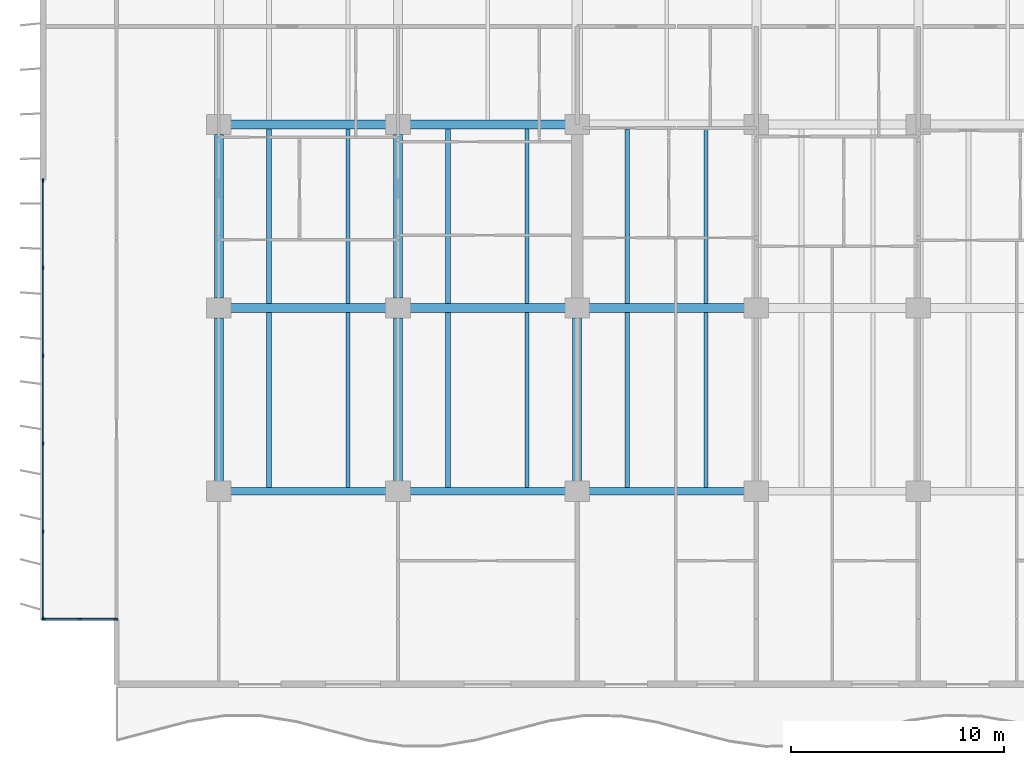
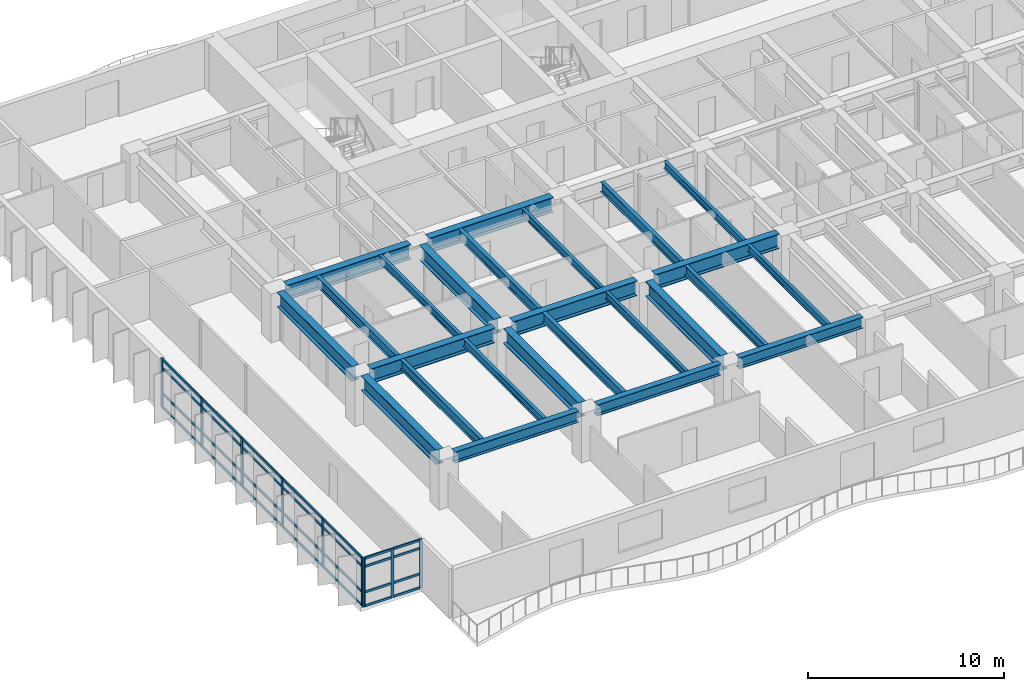
# One storey, part 2 of 18: 37 members, 25 beams, 2 elements without a shape of their own.
"""IFC4 building model written with IfcOpenShell, lengths in metres."""

from ifc_helpers import new_model, si_unit, direction, frame, origin, origin_2d, place, context, subcontext, project, spatial, rectangle, i_section, extrude, material, layer, layer_set, material_profile, profile_set, type_object, element, aggregate, save


model = new_model("IFC4")

# Units and contexts
model_context = context("Model", 3, precision=1e-05, world=origin(), true_north=direction((0.0, 1.0)))
body_context = subcontext(model_context, "Body", "Model", "MODEL_VIEW")
ifc_project = project(units=[si_unit("LENGTHUNIT", "METRE"), si_unit("AREAUNIT", "SQUARE_METRE"), si_unit("VOLUMEUNIT", "CUBIC_METRE"), si_unit("PLANEANGLEUNIT", "RADIAN"), si_unit("MASSUNIT", "GRAM", prefix="KILO")], contexts=[model_context])

# Site, building, storey
site_placement = place(None, origin())
site = spatial("IfcSite", under=ifc_project, at=site_placement, CompositionType="ELEMENT")
building_placement = place(site_placement, origin())
building = spatial("IfcBuilding", under=site, at=building_placement, Name="Caelmar Bay Residences", CompositionType="ELEMENT")
storey_placement = place(building_placement, frame((0.0, 0.0, 43.199951171875)))
storey = spatial("IfcBuildingStorey", under=building, at=storey_placement, Name="L10", CompositionType="ELEMENT", Elevation=43.199951171875)

# Beams
ifc_material_1 = material(Name="Steel ASTM A992 Grade 50", Category="steel")
ifc_material_profile_1 = material_profile(ifc_material_1, i_section(OverallWidth=0.422119140625, OverallDepth=0.925048828125, WebThickness=0.021240234375, FlangeThickness=0.03662109375, FilletRadius=0.020263671875, at=origin_2d()), Name="W36X262")
ifc_profile_set_1 = profile_set([ifc_material_profile_1], Name="Steel ASTM A992 Grade 50")
beam_type_1 = type_object("IfcBeamType", Name="BM-GRD-W36X262", PredefinedType="BEAM", material=ifc_profile_set_1)
beam_1_placement = place(storey_placement, frame((10.43994140625, 20.800048828125, 2.587646484375), z_axis=(1.0, 0.0, 0.0), x_axis=(0.0, 1.0, 0.0)))
element("IfcBeam", 1, at=beam_1_placement, inside=storey, type_object=beam_type_1, Name="L10 East-West Girder Y=20.80 (9.9-18.3)", PredefinedType="BEAM", context=body_context, shape_type="SweptSolid", body=[
    extrude(i_section(OverallWidth=0.422119140625, OverallDepth=0.925048828125, WebThickness=0.021240234375, FlangeThickness=0.03662109375, FilletRadius=0.020263671875, at=origin_2d()), origin(), (0.0, 0.0, 1.0), 7.320068359375),
])
beam_2_placement = place(storey_placement, frame((18.840087890625, 20.800048828125, 2.587646484375), z_axis=(1.0, 0.0, 0.0), x_axis=(0.0, 1.0, 0.0)))
element("IfcBeam", 2, at=beam_2_placement, inside=storey, type_object=beam_type_1, Name="L10 East-West Girder Y=20.80 (18.3-26.7)", PredefinedType="BEAM", context=body_context, shape_type="SweptSolid", body=[
    extrude(i_section(OverallWidth=0.422119140625, OverallDepth=0.925048828125, WebThickness=0.021240234375, FlangeThickness=0.03662109375, FilletRadius=0.020263671875, at=origin_2d()), origin(), (0.0, 0.0, 1.0), 7.31982421875),
])
for number, where, z_axis, x_axis, name in (
    (3, (27.239990234375, 20.800048828125, 2.587646484375), (1.0, 0.0, 0.0), (0.0, 1.0, 0.0), "L10 East-West Girder Y=20.80 (26.7-35.1)"),
    (4, (10.43994140625, 29.39990234375, 2.587646484375), (1.0, 0.0, 0.0), (0.0, 1.0, 0.0), "L10 East-West Girder Y=29.40 (9.9-18.3)"),
):
    element("IfcBeam", number, at=place(storey_placement, frame(where, z_axis=z_axis, x_axis=x_axis)), inside=storey, type_object=beam_type_1, Name=name, PredefinedType="BEAM", context=body_context, shape_type="SweptSolid", body=[
        extrude(i_section(OverallWidth=0.422119140625, OverallDepth=0.925048828125, WebThickness=0.021240234375, FlangeThickness=0.03662109375, FilletRadius=0.020263671875, at=origin_2d()), origin(), (0.0, 0.0, 1.0), 7.320068359375),
    ])
beam_3_placement = place(storey_placement, frame((18.840087890625, 29.39990234375, 2.587646484375), z_axis=(1.0, 0.0, 0.0), x_axis=(0.0, 1.0, 0.0)))
element("IfcBeam", 5, at=beam_3_placement, inside=storey, type_object=beam_type_1, Name="L10 East-West Girder Y=29.40 (18.3-26.7)", PredefinedType="BEAM", context=body_context, shape_type="SweptSolid", body=[
    extrude(i_section(OverallWidth=0.422119140625, OverallDepth=0.925048828125, WebThickness=0.021240234375, FlangeThickness=0.03662109375, FilletRadius=0.020263671875, at=origin_2d()), origin(), (0.0, 0.0, 1.0), 7.31982421875),
])
beam_4_placement = place(storey_placement, frame((9.89990234375, 12.6650390625, 2.587646484375), z_axis=(0.0, 1.0, 0.0), x_axis=(-1.0, 0.0, 0.0)))
element("IfcBeam", 6, at=beam_4_placement, inside=storey, type_object=beam_type_1, Name="L10 North-South Girder X=9.90 (12.2-20.8)", PredefinedType="BEAM", context=body_context, shape_type="SweptSolid", body=[
    extrude(i_section(OverallWidth=0.422119140625, OverallDepth=0.925048828125, WebThickness=0.021240234375, FlangeThickness=0.03662109375, FilletRadius=0.020263671875, at=origin_2d()), origin(), (0.0, 0.0, 1.0), 7.669921875),
])
beam_5_placement = place(storey_placement, frame((9.89990234375, 21.264892578125, 2.587646484375), z_axis=(0.0, 1.0, 0.0), x_axis=(-1.0, 0.0, 0.0)))
element("IfcBeam", 7, at=beam_5_placement, inside=storey, type_object=beam_type_1, Name="L10 North-South Girder X=9.90 (20.8-29.4)", PredefinedType="BEAM", context=body_context, shape_type="SweptSolid", body=[
    extrude(i_section(OverallWidth=0.422119140625, OverallDepth=0.925048828125, WebThickness=0.021240234375, FlangeThickness=0.03662109375, FilletRadius=0.020263671875, at=origin_2d()), origin(), (0.0, 0.0, 1.0), 7.670166015625),
])
beam_6_placement = place(storey_placement, frame((18.300048828125, 12.6650390625, 2.587646484375), z_axis=(0.0, 1.0, 0.0), x_axis=(-1.0, 0.0, 0.0)))
element("IfcBeam", 8, at=beam_6_placement, inside=storey, type_object=beam_type_1, Name="L10 North-South Girder X=18.30 (12.2-20.8)", PredefinedType="BEAM", context=body_context, shape_type="SweptSolid", body=[
    extrude(i_section(OverallWidth=0.422119140625, OverallDepth=0.925048828125, WebThickness=0.021240234375, FlangeThickness=0.03662109375, FilletRadius=0.020263671875, at=origin_2d()), origin(), (0.0, 0.0, 1.0), 7.669921875),
])
beam_7_placement = place(storey_placement, frame((18.300048828125, 21.264892578125, 2.587646484375), z_axis=(0.0, 1.0, 0.0), x_axis=(-1.0, 0.0, 0.0)))
element("IfcBeam", 9, at=beam_7_placement, inside=storey, type_object=beam_type_1, Name="L10 North-South Girder X=18.30 (20.8-29.4)", PredefinedType="BEAM", context=body_context, shape_type="SweptSolid", body=[
    extrude(i_section(OverallWidth=0.422119140625, OverallDepth=0.925048828125, WebThickness=0.021240234375, FlangeThickness=0.03662109375, FilletRadius=0.020263671875, at=origin_2d()), origin(), (0.0, 0.0, 1.0), 7.670166015625),
])
beam_8_placement = place(storey_placement, frame((26.699951171875, 12.6650390625, 2.587646484375), z_axis=(0.0, 1.0, 0.0), x_axis=(-1.0, 0.0, 0.0)))
element("IfcBeam", 10, at=beam_8_placement, inside=storey, type_object=beam_type_1, Name="L10 North-South Girder X=26.70 (12.2-20.8)", PredefinedType="BEAM", context=body_context, shape_type="SweptSolid", body=[
    extrude(i_section(OverallWidth=0.422119140625, OverallDepth=0.925048828125, WebThickness=0.021240234375, FlangeThickness=0.03662109375, FilletRadius=0.020263671875, at=origin_2d()), origin(), (0.0, 0.0, 1.0), 7.669921875),
])
ifc_material_profile_2 = material_profile(ifc_material_1, i_section(OverallWidth=0.19091796875, OverallDepth=0.45703125, WebThickness=0.009033203125, FlangeThickness=0.014404296875, FilletRadius=0.01025390625, at=origin_2d()), Name="W18X50")
ifc_profile_set_2 = profile_set([ifc_material_profile_2], Name="Steel ASTM A992 Grade 50")
beam_type_2 = type_object("IfcBeamType", Name="BM-JST-W18X50", PredefinedType="JOIST", material=ifc_profile_set_2)
for number, where, z_axis, x_axis, name in (
    (11, (15.947998046875, 12.3779296875, 2.821533203125), (0.0, 1.0, 0.0), (-1.0, 0.0, 0.0), "L10 Composite Floor Joist 2"),
    (12, (24.347900390625, 12.3779296875, 2.821533203125), (0.0, 1.0, 0.0), (-1.0, 0.0, 0.0), "L10 Composite Floor Joist 4"),
    (13, (32.748046875, 12.3779296875, 2.821533203125), (0.0, 1.0, 0.0), (-1.0, 0.0, 0.0), "L10 Composite Floor Joist 6"),
):
    element("IfcBeam", number, at=place(storey_placement, frame(where, z_axis=z_axis, x_axis=x_axis)), inside=storey, type_object=beam_type_2, Name=name, PredefinedType="JOIST", context=body_context, shape_type="SweptSolid", body=[
        extrude(i_section(OverallWidth=0.19091796875, OverallDepth=0.45703125, WebThickness=0.009033203125, FlangeThickness=0.014404296875, FilletRadius=0.01025390625, at=origin_2d()), origin(), (0.0, 0.0, 1.0), 8.211181640625),
    ])
for number, where, z_axis, x_axis, name in (
    (14, (15.947998046875, 21.010986328125, 2.821533203125), (0.0, 1.0, 0.0), (-1.0, 0.0, 0.0), "L10 Composite Floor Joist 16"),
    (15, (24.347900390625, 21.010986328125, 2.821533203125), (0.0, 1.0, 0.0), (-1.0, 0.0, 0.0), "L10 Composite Floor Joist 18"),
    (16, (32.748046875, 21.010986328125, 2.821533203125), (0.0, 1.0, 0.0), (-1.0, 0.0, 0.0), "L10 Composite Floor Joist 20"),
):
    element("IfcBeam", number, at=place(storey_placement, frame(where, z_axis=z_axis, x_axis=x_axis)), inside=storey, type_object=beam_type_2, Name=name, PredefinedType="JOIST", context=body_context, shape_type="SweptSolid", body=[
        extrude(i_section(OverallWidth=0.19091796875, OverallDepth=0.45703125, WebThickness=0.009033203125, FlangeThickness=0.014404296875, FilletRadius=0.01025390625, at=origin_2d()), origin(), (0.0, 0.0, 1.0), 8.177978515625),
    ])
ifc_material_profile_3 = material_profile(ifc_material_1, i_section(OverallWidth=0.22900390625, OverallDepth=0.612060546875, WebThickness=0.011962890625, FlangeThickness=0.01953125, FilletRadius=0.0126953125, at=origin_2d()), Name="W24X84")
ifc_profile_set_3 = profile_set([ifc_material_profile_3], Name="Steel ASTM A992 Grade 50")
beam_type_3 = type_object("IfcBeamType", Name="BM-JST-W24X84", PredefinedType="JOIST", material=ifc_profile_set_3)
for number, where, z_axis, x_axis, name in (
    (17, (12.251953125, 12.3779296875, 2.744140625), (0.0, 1.0, 0.0), (-1.0, 0.0, 0.0), "L10 Composite Floor Joist 1"),
    (18, (20.652099609375, 12.3779296875, 2.744140625), (0.0, 1.0, 0.0), (-1.0, 0.0, 0.0), "L10 Composite Floor Joist 3"),
    (19, (29.052001953125, 12.3779296875, 2.744140625), (0.0, 1.0, 0.0), (-1.0, 0.0, 0.0), "L10 Composite Floor Joist 5"),
):
    element("IfcBeam", number, at=place(storey_placement, frame(where, z_axis=z_axis, x_axis=x_axis)), inside=storey, type_object=beam_type_3, Name=name, PredefinedType="JOIST", context=body_context, shape_type="SweptSolid", body=[
        extrude(i_section(OverallWidth=0.22900390625, OverallDepth=0.612060546875, WebThickness=0.011962890625, FlangeThickness=0.01953125, FilletRadius=0.0126953125, at=origin_2d()), origin(), (0.0, 0.0, 1.0), 8.211181640625),
    ])
for number, where, z_axis, x_axis, name in (
    (20, (12.251953125, 21.010986328125, 2.744140625), (0.0, 1.0, 0.0), (-1.0, 0.0, 0.0), "L10 Composite Floor Joist 15"),
    (21, (20.652099609375, 21.010986328125, 2.744140625), (0.0, 1.0, 0.0), (-1.0, 0.0, 0.0), "L10 Composite Floor Joist 17"),
    (22, (29.052001953125, 21.010986328125, 2.744140625), (0.0, 1.0, 0.0), (-1.0, 0.0, 0.0), "L10 Composite Floor Joist 19"),
):
    element("IfcBeam", number, at=place(storey_placement, frame(where, z_axis=z_axis, x_axis=x_axis)), inside=storey, type_object=beam_type_3, Name=name, PredefinedType="JOIST", context=body_context, shape_type="SweptSolid", body=[
        extrude(i_section(OverallWidth=0.22900390625, OverallDepth=0.612060546875, WebThickness=0.011962890625, FlangeThickness=0.01953125, FilletRadius=0.0126953125, at=origin_2d()), origin(), (0.0, 0.0, 1.0), 8.177978515625),
    ])
ifc_material_profile_4 = material_profile(ifc_material_1, i_section(OverallWidth=0.35595703125, OverallDepth=0.696044921875, WebThickness=0.015380859375, FlangeThickness=0.02490234375, FilletRadius=0.01513671875, at=origin_2d()), Name="W27X146")
ifc_profile_set_4 = profile_set([ifc_material_profile_4], Name="Steel ASTM A992 Grade 50")
beam_type_4 = type_object("IfcBeamType", Name="BM-SPN-W27X146", PredefinedType="SPANDREL", material=ifc_profile_set_4)
beam_9_placement = place(storey_placement, frame((10.43994140625, 12.199951171875, 2.7021484375), z_axis=(1.0, 0.0, 0.0), x_axis=(0.0, 1.0, 0.0)))
element("IfcBeam", 23, at=beam_9_placement, inside=storey, type_object=beam_type_4, Name="L10 East-West Girder Y=12.20 (9.9-18.3)", PredefinedType="SPANDREL", context=body_context, shape_type="SweptSolid", body=[
    extrude(i_section(OverallWidth=0.35595703125, OverallDepth=0.696044921875, WebThickness=0.015380859375, FlangeThickness=0.02490234375, FilletRadius=0.01513671875, at=origin_2d()), origin(), (0.0, 0.0, 1.0), 7.320068359375),
])
beam_10_placement = place(storey_placement, frame((18.840087890625, 12.199951171875, 2.7021484375), z_axis=(1.0, 0.0, 0.0), x_axis=(0.0, 1.0, 0.0)))
element("IfcBeam", 24, at=beam_10_placement, inside=storey, type_object=beam_type_4, Name="L10 East-West Girder Y=12.20 (18.3-26.7)", PredefinedType="SPANDREL", context=body_context, shape_type="SweptSolid", body=[
    extrude(i_section(OverallWidth=0.35595703125, OverallDepth=0.696044921875, WebThickness=0.015380859375, FlangeThickness=0.02490234375, FilletRadius=0.01513671875, at=origin_2d()), origin(), (0.0, 0.0, 1.0), 7.31982421875),
])
beam_11_placement = place(storey_placement, frame((27.239990234375, 12.199951171875, 2.7021484375), z_axis=(1.0, 0.0, 0.0), x_axis=(0.0, 1.0, 0.0)))
element("IfcBeam", 25, at=beam_11_placement, inside=storey, type_object=beam_type_4, Name="L10 East-West Girder Y=12.20 (26.7-35.1)", PredefinedType="SPANDREL", context=body_context, shape_type="SweptSolid", body=[
    extrude(i_section(OverallWidth=0.35595703125, OverallDepth=0.696044921875, WebThickness=0.015380859375, FlangeThickness=0.02490234375, FilletRadius=0.01513671875, at=origin_2d()), origin(), (0.0, 0.0, 1.0), 7.320068359375),
])

# Curtain wall, members
ifc_material_2 = material(Name="Anodised bronze aluminium 6063-T6 and laminated glass", Category="aluminium")
ifc_layer_1 = layer(ifc_material_2, 0.179931640625)
ifc_layer_set_1 = layer_set([ifc_layer_1], Name="Anodised bronze aluminium 6063-T6 and laminated glass")
curtain_wall_type_1 = type_object("IfcCurtainWallType", Name="CW6-NTC", PredefinedType="NOTDEFINED", material=ifc_layer_set_1)
curtain_wall_1_placement = place(storey_placement, origin())
curtain_wall_1 = element("IfcCurtainWall", 26, at=curtain_wall_1_placement, inside=storey, type_object=curtain_wall_type_1, Name="CW6 curtain wall L10", PredefinedType="NOTDEFINED")
ifc_material_3 = material(Name="Anodised bronze aluminium 6063-T6", Category="aluminium")
ifc_material_profile_5 = material_profile(ifc_material_3, rectangle(XDim=0.080078125, YDim=0.179931640625, at=origin_2d()), Name="CWM-80X180")
ifc_profile_set_5 = profile_set([ifc_material_profile_5], Name="Anodised bronze aluminium 6063-T6")
member_type_1 = type_object("IfcMemberType", Name="CWM-180", PredefinedType="MULLION", material=ifc_profile_set_5)
member_1_placement = place(storey_placement, frame((1.68994140625, 6.199951171875, 0.0), z_axis=(0.0, 0.0, 1.0), x_axis=(0.0, 1.0, 0.0)))
member_1 = element("IfcMember", 27, at=member_1_placement, type_object=member_type_1, Name="CW6 mullion 1", PredefinedType="MULLION", context=body_context, shape_type="SweptSolid", body=[
    extrude(rectangle(XDim=0.080078125, YDim=0.179931640625, at=origin_2d()), origin(), (0.0, 0.0, 1.0), 3.050048828125),
])
member_2_placement = place(storey_placement, frame((3.375, 6.199951171875, 0.0), z_axis=(0.0, 0.0, 1.0), x_axis=(0.0, 1.0, 0.0)))
member_2 = element("IfcMember", 28, at=member_2_placement, type_object=member_type_1, Name="CW6 mullion 2", PredefinedType="MULLION", context=body_context, shape_type="SweptSolid", body=[
    extrude(rectangle(XDim=0.080078125, YDim=0.179931640625, at=origin_2d()), origin(), (0.0, 0.0, 1.0), 3.050048828125),
])
member_3_placement = place(storey_placement, frame((5.06005859375, 6.199951171875, 0.0), z_axis=(0.0, 0.0, 1.0), x_axis=(0.0, 1.0, 0.0)))
member_3 = element("IfcMember", 29, at=member_3_placement, type_object=member_type_1, Name="CW6 mullion 3", PredefinedType="MULLION", context=body_context, shape_type="SweptSolid", body=[
    extrude(rectangle(XDim=0.080078125, YDim=0.179931640625, at=origin_2d()), origin(), (0.0, 0.0, 1.0), 3.050048828125),
])

ifc_layer_2 = layer(ifc_material_2, 0.179931640625)
ifc_layer_set_2 = layer_set([ifc_layer_2], Name="Anodised bronze aluminium 6063-T6 and laminated glass")
curtain_wall_type_2 = type_object("IfcCurtainWallType", Name="CW2-Z1", PredefinedType="NOTDEFINED", material=ifc_layer_set_2)
curtain_wall_2_placement = place(storey_placement, origin())
curtain_wall_2 = element("IfcCurtainWall", 30, at=curtain_wall_2_placement, inside=storey, type_object=curtain_wall_type_2, Name="CW2 curtain wall L10", PredefinedType="NOTDEFINED")
member_4_placement = place(storey_placement, frame((1.64990234375, 6.239990234375, 0.0), z_axis=(0.0, 0.0, 1.0), x_axis=(-1.0, 0.0, 0.0)))
member_4 = element("IfcMember", 31, at=member_4_placement, type_object=member_type_1, Name="CW2 mullion 1", PredefinedType="MULLION", context=body_context, shape_type="SweptSolid", body=[
    extrude(rectangle(XDim=0.080078125, YDim=0.179931640625, at=origin_2d()), origin(), (0.0, 0.0, 1.0), 3.050048828125),
])
member_5_placement = place(storey_placement, frame((1.64990234375, 10.320068359375, 0.0), z_axis=(0.0, 0.0, 1.0), x_axis=(-1.0, 0.0, 0.0)))
member_5 = element("IfcMember", 32, at=member_5_placement, type_object=member_type_1, Name="CW2 mullion 2", PredefinedType="MULLION", context=body_context, shape_type="SweptSolid", body=[
    extrude(rectangle(XDim=0.080078125, YDim=0.179931640625, at=origin_2d()), origin(), (0.0, 0.0, 1.0), 3.050048828125),
])
member_6_placement = place(storey_placement, frame((1.64990234375, 14.43994140625, 0.0), z_axis=(0.0, 0.0, 1.0), x_axis=(-1.0, 0.0, 0.0)))
member_6 = element("IfcMember", 33, at=member_6_placement, type_object=member_type_1, Name="CW2 mullion 3", PredefinedType="MULLION", context=body_context, shape_type="SweptSolid", body=[
    extrude(rectangle(XDim=0.080078125, YDim=0.179931640625, at=origin_2d()), origin(), (0.0, 0.0, 1.0), 3.050048828125),
])
member_7_placement = place(storey_placement, frame((1.64990234375, 18.56005859375, 0.0), z_axis=(0.0, 0.0, 1.0), x_axis=(-1.0, 0.0, 0.0)))
member_7 = element("IfcMember", 34, at=member_7_placement, type_object=member_type_1, Name="CW2 mullion 4", PredefinedType="MULLION", context=body_context, shape_type="SweptSolid", body=[
    extrude(rectangle(XDim=0.080078125, YDim=0.179931640625, at=origin_2d()), origin(), (0.0, 0.0, 1.0), 3.050048828125),
])
member_8_placement = place(storey_placement, frame((1.64990234375, 22.679931640625, 0.0), z_axis=(0.0, 0.0, 1.0), x_axis=(-1.0, 0.0, 0.0)))
member_8 = element("IfcMember", 35, at=member_8_placement, type_object=member_type_1, Name="CW2 mullion 5", PredefinedType="MULLION", context=body_context, shape_type="SweptSolid", body=[
    extrude(rectangle(XDim=0.080078125, YDim=0.179931640625, at=origin_2d()), origin(), (0.0, 0.0, 1.0), 3.050048828125),
])
member_9_placement = place(storey_placement, frame((1.64990234375, 26.760009765625, 0.0), z_axis=(0.0, 0.0, 1.0), x_axis=(-1.0, 0.0, 0.0)))
member_9 = element("IfcMember", 36, at=member_9_placement, type_object=member_type_1, Name="CW2 mullion 6", PredefinedType="MULLION", context=body_context, shape_type="SweptSolid", body=[
    extrude(rectangle(XDim=0.080078125, YDim=0.179931640625, at=origin_2d()), origin(), (0.0, 0.0, 1.0), 3.050048828125),
])

# Member
ifc_material_profile_6 = material_profile(ifc_material_3, rectangle(XDim=0.080078125, YDim=0.139892578125, at=origin_2d()), Name="CWT-80X140")
ifc_profile_set_6 = profile_set([ifc_material_profile_6], Name="Anodised bronze aluminium 6063-T6")
member_type_2 = type_object("IfcMemberType", Name="CWT-140", PredefinedType="NOTDEFINED", material=ifc_profile_set_6)
member_10_placement = place(storey_placement, frame((1.72998046875, 6.199951171875, 0.0400390625), z_axis=(1.0, 0.0, 0.0), x_axis=(0.0, 1.0, 0.0)))
member_10 = element("IfcMember", 37, at=member_10_placement, type_object=member_type_2, Name="CW6 transom 1.1", ObjectType="TRANSOM", PredefinedType="USERDEFINED", context=body_context, shape_type="SweptSolid", body=[
    extrude(rectangle(XDim=0.080078125, YDim=0.139892578125, at=origin_2d()), origin(), (0.0, 0.0, 1.0), 1.60498046875),
])

member_11_placement = place(storey_placement, frame((1.72998046875, 6.199951171875, 0.900146484375), z_axis=(1.0, 0.0, 0.0), x_axis=(0.0, 1.0, 0.0)))
member_11 = element("IfcMember", 38, at=member_11_placement, type_object=member_type_2, Name="CW6 transom 1.2", ObjectType="TRANSOM", PredefinedType="USERDEFINED", context=body_context, shape_type="SweptSolid", body=[
    extrude(rectangle(XDim=0.080078125, YDim=0.139892578125, at=origin_2d()), origin(), (0.0, 0.0, 1.0), 1.60498046875),
])

member_12_placement = place(storey_placement, frame((1.72998046875, 6.199951171875, 2.5), z_axis=(1.0, 0.0, 0.0), x_axis=(0.0, 1.0, 0.0)))
member_12 = element("IfcMember", 39, at=member_12_placement, type_object=member_type_2, Name="CW6 transom 1.3", ObjectType="TRANSOM", PredefinedType="USERDEFINED", context=body_context, shape_type="SweptSolid", body=[
    extrude(rectangle(XDim=0.080078125, YDim=0.139892578125, at=origin_2d()), origin(), (0.0, 0.0, 1.0), 1.60498046875),
])

member_13_placement = place(storey_placement, frame((1.72998046875, 6.199951171875, 3.010009765625), z_axis=(1.0, 0.0, 0.0), x_axis=(0.0, 1.0, 0.0)))
member_13 = element("IfcMember", 40, at=member_13_placement, type_object=member_type_2, Name="CW6 transom 1.4", ObjectType="TRANSOM", PredefinedType="USERDEFINED", context=body_context, shape_type="SweptSolid", body=[
    extrude(rectangle(XDim=0.080078125, YDim=0.139892578125, at=origin_2d()), origin(), (0.0, 0.0, 1.0), 1.60498046875),
])

member_14_placement = place(storey_placement, frame((3.4150390625, 6.199951171875, 0.0400390625), z_axis=(1.0, 0.0, 0.0), x_axis=(0.0, 1.0, 0.0)))
member_14 = element("IfcMember", 41, at=member_14_placement, type_object=member_type_2, Name="CW6 transom 2.1", ObjectType="TRANSOM", PredefinedType="USERDEFINED", context=body_context, shape_type="SweptSolid", body=[
    extrude(rectangle(XDim=0.080078125, YDim=0.139892578125, at=origin_2d()), origin(), (0.0, 0.0, 1.0), 1.60498046875),
])

member_15_placement = place(storey_placement, frame((3.4150390625, 6.199951171875, 0.900146484375), z_axis=(1.0, 0.0, 0.0), x_axis=(0.0, 1.0, 0.0)))
member_15 = element("IfcMember", 42, at=member_15_placement, type_object=member_type_2, Name="CW6 transom 2.2", ObjectType="TRANSOM", PredefinedType="USERDEFINED", context=body_context, shape_type="SweptSolid", body=[
    extrude(rectangle(XDim=0.080078125, YDim=0.139892578125, at=origin_2d()), origin(), (0.0, 0.0, 1.0), 1.60498046875),
])

member_16_placement = place(storey_placement, frame((3.4150390625, 6.199951171875, 2.5), z_axis=(1.0, 0.0, 0.0), x_axis=(0.0, 1.0, 0.0)))
member_16 = element("IfcMember", 43, at=member_16_placement, type_object=member_type_2, Name="CW6 transom 2.3", ObjectType="TRANSOM", PredefinedType="USERDEFINED", context=body_context, shape_type="SweptSolid", body=[
    extrude(rectangle(XDim=0.080078125, YDim=0.139892578125, at=origin_2d()), origin(), (0.0, 0.0, 1.0), 1.60498046875),
])

member_17_placement = place(storey_placement, frame((3.4150390625, 6.199951171875, 3.010009765625), z_axis=(1.0, 0.0, 0.0), x_axis=(0.0, 1.0, 0.0)))
member_17 = element("IfcMember", 44, at=member_17_placement, type_object=member_type_2, Name="CW6 transom 2.4", ObjectType="TRANSOM", PredefinedType="USERDEFINED", context=body_context, shape_type="SweptSolid", body=[
    extrude(rectangle(XDim=0.080078125, YDim=0.139892578125, at=origin_2d()), origin(), (0.0, 0.0, 1.0), 1.60498046875),
])

aggregate(curtain_wall_1, [member_1, member_2, member_3, member_10, member_11, member_12, member_13, member_14, member_15, member_16, member_17])

member_18_placement = place(storey_placement, frame((1.64990234375, 6.280029296875, 0.0400390625), z_axis=(0.0, 1.0, 0.0), x_axis=(-1.0, 0.0, 0.0)))
member_18 = element("IfcMember", 45, at=member_18_placement, type_object=member_type_2, Name="CW2 transom 1.1", ObjectType="TRANSOM", PredefinedType="USERDEFINED", context=body_context, shape_type="SweptSolid", body=[
    extrude(rectangle(XDim=0.080078125, YDim=0.139892578125, at=origin_2d()), origin(), (0.0, 0.0, 1.0), 4.0),
])

member_19_placement = place(storey_placement, frame((1.64990234375, 6.280029296875, 0.900146484375), z_axis=(0.0, 1.0, 0.0), x_axis=(-1.0, 0.0, 0.0)))
member_19 = element("IfcMember", 46, at=member_19_placement, type_object=member_type_2, Name="CW2 transom 1.2", ObjectType="TRANSOM", PredefinedType="USERDEFINED", context=body_context, shape_type="SweptSolid", body=[
    extrude(rectangle(XDim=0.080078125, YDim=0.139892578125, at=origin_2d()), origin(), (0.0, 0.0, 1.0), 4.0),
])

member_20_placement = place(storey_placement, frame((1.64990234375, 6.280029296875, 2.5), z_axis=(0.0, 1.0, 0.0), x_axis=(-1.0, 0.0, 0.0)))
member_20 = element("IfcMember", 47, at=member_20_placement, type_object=member_type_2, Name="CW2 transom 1.3", ObjectType="TRANSOM", PredefinedType="USERDEFINED", context=body_context, shape_type="SweptSolid", body=[
    extrude(rectangle(XDim=0.080078125, YDim=0.139892578125, at=origin_2d()), origin(), (0.0, 0.0, 1.0), 4.0),
])

member_21_placement = place(storey_placement, frame((1.64990234375, 6.280029296875, 3.010009765625), z_axis=(0.0, 1.0, 0.0), x_axis=(-1.0, 0.0, 0.0)))
member_21 = element("IfcMember", 48, at=member_21_placement, type_object=member_type_2, Name="CW2 transom 1.4", ObjectType="TRANSOM", PredefinedType="USERDEFINED", context=body_context, shape_type="SweptSolid", body=[
    extrude(rectangle(XDim=0.080078125, YDim=0.139892578125, at=origin_2d()), origin(), (0.0, 0.0, 1.0), 4.0),
])

member_22_placement = place(storey_placement, frame((1.64990234375, 10.360107421875, 0.0400390625), z_axis=(0.0, 1.0, 0.0), x_axis=(-1.0, 0.0, 0.0)))
member_22 = element("IfcMember", 49, at=member_22_placement, type_object=member_type_2, Name="CW2 transom 2.1", ObjectType="TRANSOM", PredefinedType="USERDEFINED", context=body_context, shape_type="SweptSolid", body=[
    extrude(rectangle(XDim=0.080078125, YDim=0.139892578125, at=origin_2d()), origin(), (0.0, 0.0, 1.0), 4.039794921875),
])

member_23_placement = place(storey_placement, frame((1.64990234375, 10.360107421875, 0.900146484375), z_axis=(0.0, 1.0, 0.0), x_axis=(-1.0, 0.0, 0.0)))
member_23 = element("IfcMember", 50, at=member_23_placement, type_object=member_type_2, Name="CW2 transom 2.2", ObjectType="TRANSOM", PredefinedType="USERDEFINED", context=body_context, shape_type="SweptSolid", body=[
    extrude(rectangle(XDim=0.080078125, YDim=0.139892578125, at=origin_2d()), origin(), (0.0, 0.0, 1.0), 4.039794921875),
])

member_24_placement = place(storey_placement, frame((1.64990234375, 10.360107421875, 2.5), z_axis=(0.0, 1.0, 0.0), x_axis=(-1.0, 0.0, 0.0)))
member_24 = element("IfcMember", 51, at=member_24_placement, type_object=member_type_2, Name="CW2 transom 2.3", ObjectType="TRANSOM", PredefinedType="USERDEFINED", context=body_context, shape_type="SweptSolid", body=[
    extrude(rectangle(XDim=0.080078125, YDim=0.139892578125, at=origin_2d()), origin(), (0.0, 0.0, 1.0), 4.039794921875),
])

member_25_placement = place(storey_placement, frame((1.64990234375, 10.360107421875, 3.010009765625), z_axis=(0.0, 1.0, 0.0), x_axis=(-1.0, 0.0, 0.0)))
member_25 = element("IfcMember", 52, at=member_25_placement, type_object=member_type_2, Name="CW2 transom 2.4", ObjectType="TRANSOM", PredefinedType="USERDEFINED", context=body_context, shape_type="SweptSolid", body=[
    extrude(rectangle(XDim=0.080078125, YDim=0.139892578125, at=origin_2d()), origin(), (0.0, 0.0, 1.0), 4.039794921875),
])

member_26_placement = place(storey_placement, frame((1.64990234375, 14.47998046875, 0.0400390625), z_axis=(0.0, 1.0, 0.0), x_axis=(-1.0, 0.0, 0.0)))
member_26 = element("IfcMember", 53, at=member_26_placement, type_object=member_type_2, Name="CW2 transom 3.1", ObjectType="TRANSOM", PredefinedType="USERDEFINED", context=body_context, shape_type="SweptSolid", body=[
    extrude(rectangle(XDim=0.080078125, YDim=0.139892578125, at=origin_2d()), origin(), (0.0, 0.0, 1.0), 4.0400390625),
])

member_27_placement = place(storey_placement, frame((1.64990234375, 14.47998046875, 0.900146484375), z_axis=(0.0, 1.0, 0.0), x_axis=(-1.0, 0.0, 0.0)))
member_27 = element("IfcMember", 54, at=member_27_placement, type_object=member_type_2, Name="CW2 transom 3.2", ObjectType="TRANSOM", PredefinedType="USERDEFINED", context=body_context, shape_type="SweptSolid", body=[
    extrude(rectangle(XDim=0.080078125, YDim=0.139892578125, at=origin_2d()), origin(), (0.0, 0.0, 1.0), 4.0400390625),
])

member_28_placement = place(storey_placement, frame((1.64990234375, 14.47998046875, 2.5), z_axis=(0.0, 1.0, 0.0), x_axis=(-1.0, 0.0, 0.0)))
member_28 = element("IfcMember", 55, at=member_28_placement, type_object=member_type_2, Name="CW2 transom 3.3", ObjectType="TRANSOM", PredefinedType="USERDEFINED", context=body_context, shape_type="SweptSolid", body=[
    extrude(rectangle(XDim=0.080078125, YDim=0.139892578125, at=origin_2d()), origin(), (0.0, 0.0, 1.0), 4.0400390625),
])

member_29_placement = place(storey_placement, frame((1.64990234375, 14.47998046875, 3.010009765625), z_axis=(0.0, 1.0, 0.0), x_axis=(-1.0, 0.0, 0.0)))
member_29 = element("IfcMember", 56, at=member_29_placement, type_object=member_type_2, Name="CW2 transom 3.4", ObjectType="TRANSOM", PredefinedType="USERDEFINED", context=body_context, shape_type="SweptSolid", body=[
    extrude(rectangle(XDim=0.080078125, YDim=0.139892578125, at=origin_2d()), origin(), (0.0, 0.0, 1.0), 4.0400390625),
])

member_30_placement = place(storey_placement, frame((1.64990234375, 18.60009765625, 0.0400390625), z_axis=(0.0, 1.0, 0.0), x_axis=(-1.0, 0.0, 0.0)))
member_30 = element("IfcMember", 57, at=member_30_placement, type_object=member_type_2, Name="CW2 transom 4.1", ObjectType="TRANSOM", PredefinedType="USERDEFINED", context=body_context, shape_type="SweptSolid", body=[
    extrude(rectangle(XDim=0.080078125, YDim=0.139892578125, at=origin_2d()), origin(), (0.0, 0.0, 1.0), 4.039794921875),
])

member_31_placement = place(storey_placement, frame((1.64990234375, 18.60009765625, 0.900146484375), z_axis=(0.0, 1.0, 0.0), x_axis=(-1.0, 0.0, 0.0)))
member_31 = element("IfcMember", 58, at=member_31_placement, type_object=member_type_2, Name="CW2 transom 4.2", ObjectType="TRANSOM", PredefinedType="USERDEFINED", context=body_context, shape_type="SweptSolid", body=[
    extrude(rectangle(XDim=0.080078125, YDim=0.139892578125, at=origin_2d()), origin(), (0.0, 0.0, 1.0), 4.039794921875),
])

member_32_placement = place(storey_placement, frame((1.64990234375, 18.60009765625, 2.5), z_axis=(0.0, 1.0, 0.0), x_axis=(-1.0, 0.0, 0.0)))
member_32 = element("IfcMember", 59, at=member_32_placement, type_object=member_type_2, Name="CW2 transom 4.3", ObjectType="TRANSOM", PredefinedType="USERDEFINED", context=body_context, shape_type="SweptSolid", body=[
    extrude(rectangle(XDim=0.080078125, YDim=0.139892578125, at=origin_2d()), origin(), (0.0, 0.0, 1.0), 4.039794921875),
])

member_33_placement = place(storey_placement, frame((1.64990234375, 18.60009765625, 3.010009765625), z_axis=(0.0, 1.0, 0.0), x_axis=(-1.0, 0.0, 0.0)))
member_33 = element("IfcMember", 60, at=member_33_placement, type_object=member_type_2, Name="CW2 transom 4.4", ObjectType="TRANSOM", PredefinedType="USERDEFINED", context=body_context, shape_type="SweptSolid", body=[
    extrude(rectangle(XDim=0.080078125, YDim=0.139892578125, at=origin_2d()), origin(), (0.0, 0.0, 1.0), 4.039794921875),
])

member_34_placement = place(storey_placement, frame((1.64990234375, 22.719970703125, 0.0400390625), z_axis=(0.0, 1.0, 0.0), x_axis=(-1.0, 0.0, 0.0)))
member_34 = element("IfcMember", 61, at=member_34_placement, type_object=member_type_2, Name="CW2 transom 5.1", ObjectType="TRANSOM", PredefinedType="USERDEFINED", context=body_context, shape_type="SweptSolid", body=[
    extrude(rectangle(XDim=0.080078125, YDim=0.139892578125, at=origin_2d()), origin(), (0.0, 0.0, 1.0), 4.0),
])

member_35_placement = place(storey_placement, frame((1.64990234375, 22.719970703125, 0.900146484375), z_axis=(0.0, 1.0, 0.0), x_axis=(-1.0, 0.0, 0.0)))
member_35 = element("IfcMember", 62, at=member_35_placement, type_object=member_type_2, Name="CW2 transom 5.2", ObjectType="TRANSOM", PredefinedType="USERDEFINED", context=body_context, shape_type="SweptSolid", body=[
    extrude(rectangle(XDim=0.080078125, YDim=0.139892578125, at=origin_2d()), origin(), (0.0, 0.0, 1.0), 4.0),
])

member_36_placement = place(storey_placement, frame((1.64990234375, 22.719970703125, 2.5), z_axis=(0.0, 1.0, 0.0), x_axis=(-1.0, 0.0, 0.0)))
member_36 = element("IfcMember", 63, at=member_36_placement, type_object=member_type_2, Name="CW2 transom 5.3", ObjectType="TRANSOM", PredefinedType="USERDEFINED", context=body_context, shape_type="SweptSolid", body=[
    extrude(rectangle(XDim=0.080078125, YDim=0.139892578125, at=origin_2d()), origin(), (0.0, 0.0, 1.0), 4.0),
])

member_37_placement = place(storey_placement, frame((1.64990234375, 22.719970703125, 3.010009765625), z_axis=(0.0, 1.0, 0.0), x_axis=(-1.0, 0.0, 0.0)))
member_37 = element("IfcMember", 64, at=member_37_placement, type_object=member_type_2, Name="CW2 transom 5.4", ObjectType="TRANSOM", PredefinedType="USERDEFINED", context=body_context, shape_type="SweptSolid", body=[
    extrude(rectangle(XDim=0.080078125, YDim=0.139892578125, at=origin_2d()), origin(), (0.0, 0.0, 1.0), 4.0),
])

aggregate(curtain_wall_2, [member_4, member_5, member_6, member_7, member_8, member_9, member_18, member_19, member_20, member_21, member_22, member_23, member_24, member_25, member_26, member_27, member_28, member_29, member_30, member_31, member_32, member_33, member_34, member_35, member_36, member_37])

save(model, "model.ifc")
